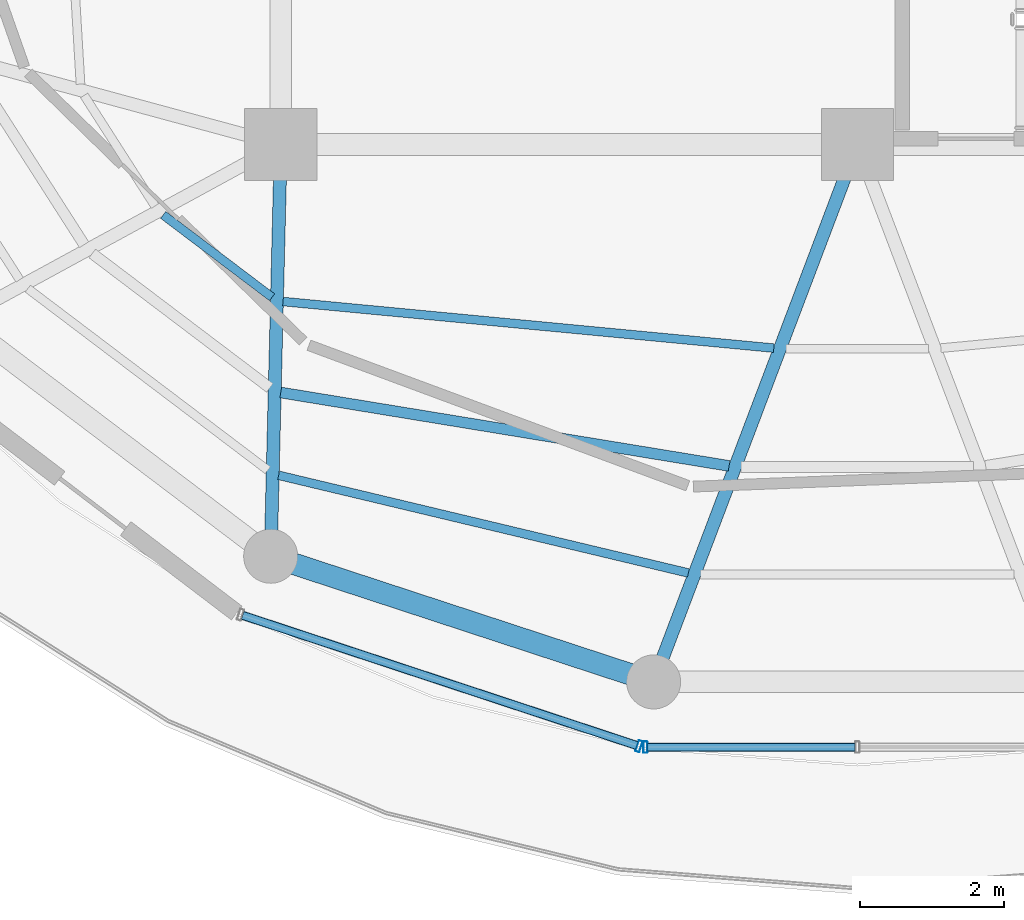
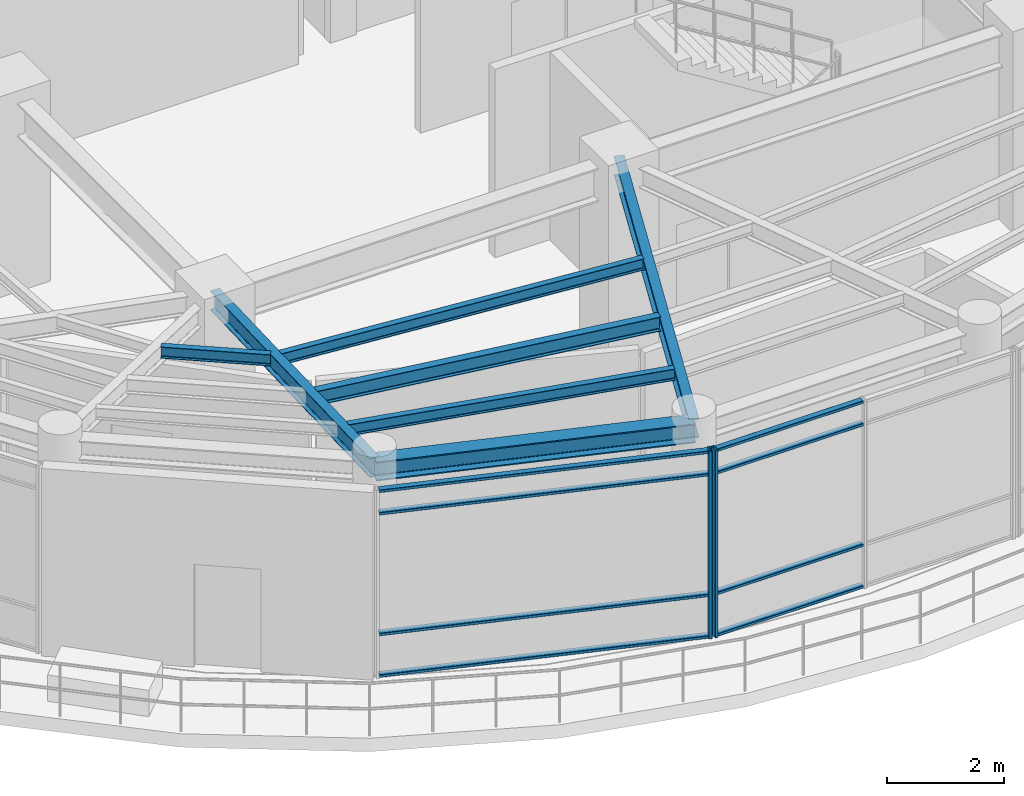
# One storey, part 3 of 20: 10 members, 7 beams, 2 elements without a shape of their own.
"""IFC4 building model written with IfcOpenShell, lengths in metres."""

from ifc_helpers import new_model, si_unit, direction, frame, origin, origin_2d, place, context, subcontext, project, spatial, hollow_rectangle, i_section, extrude, material, layer, layer_set, material_profile, profile_set, type_object, element, aggregate, save


model = new_model("IFC4")

# Units and contexts
model_context = context("Model", 3, precision=1e-05, world=origin(), true_north=direction((0.0, 1.0)))
body_context = subcontext(model_context, "Body", "Model", "MODEL_VIEW")
ifc_project = project(units=[si_unit("LENGTHUNIT", "METRE"), si_unit("AREAUNIT", "SQUARE_METRE"), si_unit("VOLUMEUNIT", "CUBIC_METRE"), si_unit("PLANEANGLEUNIT", "RADIAN"), si_unit("MASSUNIT", "GRAM", prefix="KILO")], contexts=[model_context])

# Site, building, storey
site_placement = place(None, origin())
site = spatial("IfcSite", under=ifc_project, at=site_placement, CompositionType="ELEMENT")
building_placement = place(site_placement, origin())
building = spatial("IfcBuilding", under=site, at=building_placement, Name="Kelanora Arch Commons", CompositionType="ELEMENT")
storey_placement = place(building_placement, frame((0.0, 0.0, 298.5)))
storey = spatial("IfcBuildingStorey", under=building, at=storey_placement, Name="L76", CompositionType="ELEMENT", Elevation=298.5)

# Beams
ifc_material_1 = material(Name="Steel S355", Category="steel")
ifc_material_profile_1 = material_profile(ifc_material_1, i_section(OverallWidth=0.14990234375, OverallDepth=0.300048828125, WebThickness=0.007080078125, FlangeThickness=0.0107421875, FilletRadius=0.014892578125, at=origin_2d()), Name="IPE300")
ifc_profile_set_1 = profile_set([ifc_material_profile_1], Name="Steel S355")
beam_type_1 = type_object("IfcBeamType", Name="BM-JST-01", PredefinedType="JOIST", material=ifc_profile_set_1)
beam_1_placement = place(storey_placement, frame((66.0, 47.558349609375, 3.7900390625), z_axis=(0.986849654094, -0.16164083709, 0.0), x_axis=(0.16164083709, 0.986849654094, 0.0)))
element("IfcBeam", 1, at=beam_1_placement, inside=storey, type_object=beam_type_1, Name="Secondary Chord Joist BJB-24 L76", PredefinedType="JOIST", context=body_context, shape_type="SweptSolid", body=[
    extrude(i_section(OverallWidth=0.14990234375, OverallDepth=0.300048828125, WebThickness=0.007080078125, FlangeThickness=0.0107421875, FilletRadius=0.014892578125, at=origin_2d()), origin(), (0.0, 0.0, 1.0), 6.302734375),
])
ifc_material_profile_2 = material_profile(ifc_material_1, i_section(OverallWidth=0.1201171875, OverallDepth=0.239990234375, WebThickness=0.006103515625, FlangeThickness=0.009765625, FilletRadius=0.014892578125, at=origin_2d()), Name="IPE240")
ifc_profile_set_2 = profile_set([ifc_material_profile_2], Name="Steel S355")
beam_type_2 = type_object("IfcBeamType", Name="BM-JST-02", PredefinedType="JOIST", material=ifc_profile_set_2)
beam_2_placement = place(storey_placement, frame((64.36865234375, 50.02294921875, 3.820068359375), z_axis=(0.797424826317, -0.603418301324, 0.0), x_axis=(0.603418301324, 0.797424826317, 0.0)))
element("IfcBeam", 2, at=beam_2_placement, inside=storey, type_object=beam_type_2, Name="Secondary Chord Joist BJA-22 L76", PredefinedType="JOIST", context=body_context, shape_type="SweptSolid", body=[
    extrude(i_section(OverallWidth=0.1201171875, OverallDepth=0.239990234375, WebThickness=0.006103515625, FlangeThickness=0.009765625, FilletRadius=0.014892578125, at=origin_2d()), origin(), (0.0, 0.0, 1.0), 1.893798828125),
])
beam_3_placement = place(storey_placement, frame((66.031494140625, 48.82080078125, 3.820068359375), z_axis=(0.995523661296, -0.094512643594, 0.0), x_axis=(0.094512643594, 0.995523661296, 0.0)))
element("IfcBeam", 3, at=beam_3_placement, inside=storey, type_object=beam_type_2, Name="Secondary Chord Joist BJA-24 L76", PredefinedType="JOIST", context=body_context, shape_type="SweptSolid", body=[
    extrude(i_section(OverallWidth=0.1201171875, OverallDepth=0.239990234375, WebThickness=0.006103515625, FlangeThickness=0.009765625, FilletRadius=0.014892578125, at=origin_2d()), origin(), (0.0, 0.0, 1.0), 6.840087890625),
])
beam_4_placement = place(storey_placement, frame((65.970703125, 46.40966796875, 3.820068359375), z_axis=(0.972733556605, -0.231925479098, 0.0), x_axis=(0.231925479098, 0.972733556605, 0.0)))
element("IfcBeam", 4, at=beam_4_placement, inside=storey, type_object=beam_type_2, Name="Secondary Chord Joist BJC-24 L76", PredefinedType="JOIST", context=body_context, shape_type="SweptSolid", body=[
    extrude(i_section(OverallWidth=0.1201171875, OverallDepth=0.239990234375, WebThickness=0.006103515625, FlangeThickness=0.009765625, FilletRadius=0.014892578125, at=origin_2d()), origin(), (0.0, 0.0, 1.0), 5.844482421875),
])
ifc_material_profile_3 = material_profile(ifc_material_1, i_section(OverallWidth=0.179931640625, OverallDepth=0.39990234375, WebThickness=0.008544921875, FlangeThickness=0.013427734375, FilletRadius=0.02099609375, at=origin_2d()), Name="IPE400")
ifc_profile_set_3 = profile_set([ifc_material_profile_3], Name="Steel S355")
beam_type_3 = type_object("IfcBeamType", Name="BM-RAD-Z5", PredefinedType="BEAM", material=ifc_profile_set_3)
beam_5_placement = place(storey_placement, frame((66.0, 51.0, 3.739990234375), z_axis=(-0.0244777504, -0.99970037498, 0.0), x_axis=(0.99970037498, -0.0244777504, 0.0)))
element("IfcBeam", 5, at=beam_5_placement, inside=storey, type_object=beam_type_3, Name="Radial Floor Girder BR-24 L76", PredefinedType="BEAM", context=body_context, shape_type="SweptSolid", body=[
    extrude(i_section(OverallWidth=0.179931640625, OverallDepth=0.39990234375, WebThickness=0.008544921875, FlangeThickness=0.013427734375, FilletRadius=0.02099609375, at=origin_2d()), origin(), (0.0, 0.0, 1.0), 5.715087890625),
])
beam_6_placement = place(storey_placement, frame((74.0, 51.0, 3.739990234375), z_axis=(-0.354476114465, -0.93506506954, 0.0), x_axis=(0.93506506954, -0.354476114465, 0.0)))
element("IfcBeam", 6, at=beam_6_placement, inside=storey, type_object=beam_type_3, Name="Radial Floor Girder BR-26 L76", PredefinedType="BEAM", context=body_context, shape_type="SweptSolid", body=[
    extrude(i_section(OverallWidth=0.179931640625, OverallDepth=0.39990234375, WebThickness=0.008544921875, FlangeThickness=0.013427734375, FilletRadius=0.02099609375, at=origin_2d()), origin(), (0.0, 0.0, 1.0), 7.974853515625),
])
ifc_material_profile_4 = material_profile(ifc_material_1, i_section(OverallWidth=0.300048828125, OverallDepth=0.39990234375, WebThickness=0.013427734375, FlangeThickness=0.02392578125, FilletRadius=0.027099609375, at=origin_2d()), Name="HEB400")
ifc_profile_set_4 = profile_set([ifc_material_profile_4], Name="Steel S355")
beam_type_4 = type_object("IfcBeamType", Name="BM-SPN-Z4", PredefinedType="SPANDREL", material=ifc_profile_set_4)
beam_7_placement = place(storey_placement, frame((65.860107421875, 45.28662109375, 3.739990234375), z_axis=(0.950140083071, -0.311823383572, 0.0), x_axis=(0.311823383572, 0.950140083071, 0.0)))
element("IfcBeam", 7, at=beam_7_placement, inside=storey, type_object=beam_type_4, Name="Perimeter Spandrel Beam BS-24 L76", PredefinedType="SPANDREL", context=body_context, shape_type="SweptSolid", body=[
    extrude(i_section(OverallWidth=0.300048828125, OverallDepth=0.39990234375, WebThickness=0.013427734375, FlangeThickness=0.02392578125, FilletRadius=0.027099609375, at=origin_2d()), origin(), (0.0, 0.0, 1.0), 5.591796875),
])

# Curtain wall, member
ifc_material_2 = material(Name="Terracotta ceramic-fritted low-E glass and aluminium", Category="masonry")
ifc_layer = layer(ifc_material_2, 0.14990234375)
ifc_layer_set = layer_set([ifc_layer], Name="Terracotta ceramic-fritted low-E glass and aluminium")
curtain_wall_type = type_object("IfcCurtainWallType", Name="CW-SYS-06", PredefinedType="NOTDEFINED", material=ifc_layer_set)
curtain_wall_1_placement = place(storey_placement, origin())
curtain_wall_1 = element("IfcCurtainWall", 8, at=curtain_wall_1_placement, inside=storey, type_object=curtain_wall_type, Name="Unitised Curtain Wall L76-B12", PredefinedType="NOTDEFINED")
ifc_material_3 = material(Name="Powder-coated aluminium terracotta", Category="masonry")
ifc_material_profile_5 = material_profile(ifc_material_3, hollow_rectangle(XDim=0.159912109375, YDim=0.06005859375, WallThickness=0.0048828125, InnerFilletRadius=0.0048828125, OuterFilletRadius=0.010009765625, at=origin_2d()), Name="CWM160x60")
ifc_profile_set_5 = profile_set([ifc_material_profile_5], Name="Powder-coated aluminium terracotta")
member_type_1 = type_object("IfcMemberType", Name="CWM-STD", PredefinedType="MULLION", material=ifc_profile_set_5)
member_1_placement = place(storey_placement, frame((70.970703125, 42.651123046875, 0.0), z_axis=(0.0, 0.0, 1.0), x_axis=(0.313466845323, 0.949599145368, 0.0)))
member_1 = element("IfcMember", 9, at=member_1_placement, type_object=member_type_1, Name="CW-06 mullion 2", PredefinedType="MULLION", context=body_context, shape_type="SweptSolid", body=[
    extrude(hollow_rectangle(XDim=0.159912109375, YDim=0.06005859375, WallThickness=0.0048828125, InnerFilletRadius=0.0048828125, OuterFilletRadius=0.010009765625, at=origin_2d()), origin(), (0.0, 0.0, 1.0), 3.925048828125),
])

curtain_wall_2_placement = place(storey_placement, origin())
curtain_wall_2 = element("IfcCurtainWall", 10, at=curtain_wall_2_placement, inside=storey, type_object=curtain_wall_type, Name="Unitised Curtain Wall L76-B13", PredefinedType="NOTDEFINED")
member_2_placement = place(storey_placement, frame((71.058349609375, 42.636962890625, 0.0), z_axis=(0.0, 0.0, 1.0), x_axis=(0.0, 1.0, 0.0)))
member_2 = element("IfcMember", 11, at=member_2_placement, type_object=member_type_1, Name="CW-06 mullion 1", PredefinedType="MULLION", context=body_context, shape_type="SweptSolid", body=[
    extrude(hollow_rectangle(XDim=0.159912109375, YDim=0.06005859375, WallThickness=0.0048828125, InnerFilletRadius=0.0048828125, OuterFilletRadius=0.010009765625, at=origin_2d()), origin(), (0.0, 0.0, 1.0), 3.925048828125),
])

# Member
ifc_material_profile_6 = material_profile(ifc_material_3, hollow_rectangle(XDim=0.1201171875, YDim=0.06005859375, WallThickness=0.0048828125, InnerFilletRadius=0.0048828125, OuterFilletRadius=0.010009765625, at=origin_2d()), Name="CWT120x60")
ifc_profile_set_6 = profile_set([ifc_material_profile_6], Name="Powder-coated aluminium terracotta")
member_type_2 = type_object("IfcMemberType", Name="CWT-STD", PredefinedType="USERDEFINED", material=ifc_profile_set_6)
member_3_placement = place(storey_placement, frame((65.47119140625, 44.466552734375, 0.030029296875), z_axis=(0.949590431956, -0.31349324002, 0.0), x_axis=(0.31349324002, 0.949590431956, 0.0)))
member_3 = element("IfcMember", 12, at=member_3_placement, type_object=member_type_2, Name="CW-06 transom 1.1", ObjectType="TRANSOM", PredefinedType="USERDEFINED", context=body_context, shape_type="SweptSolid", body=[
    extrude(hollow_rectangle(XDim=0.1201171875, YDim=0.06005859375, WallThickness=0.0048828125, InnerFilletRadius=0.0048828125, OuterFilletRadius=0.010009765625, at=origin_2d()), origin(), (0.0, 0.0, 1.0), 5.761474609375),
])

member_4_placement = place(storey_placement, frame((65.47119140625, 44.466552734375, 0.89990234375), z_axis=(0.949590431956, -0.31349324002, 0.0), x_axis=(0.31349324002, 0.949590431956, 0.0)))
member_4 = element("IfcMember", 13, at=member_4_placement, type_object=member_type_2, Name="CW-06 transom 1.2", ObjectType="TRANSOM", PredefinedType="USERDEFINED", context=body_context, shape_type="SweptSolid", body=[
    extrude(hollow_rectangle(XDim=0.1201171875, YDim=0.06005859375, WallThickness=0.0048828125, InnerFilletRadius=0.0048828125, OuterFilletRadius=0.010009765625, at=origin_2d()), origin(), (0.0, 0.0, 1.0), 5.761474609375),
])

member_5_placement = place(storey_placement, frame((65.47119140625, 44.466552734375, 3.425048828125), z_axis=(0.949590431956, -0.31349324002, 0.0), x_axis=(0.31349324002, 0.949590431956, 0.0)))
member_5 = element("IfcMember", 14, at=member_5_placement, type_object=member_type_2, Name="CW-06 transom 1.3", ObjectType="TRANSOM", PredefinedType="USERDEFINED", context=body_context, shape_type="SweptSolid", body=[
    extrude(hollow_rectangle(XDim=0.1201171875, YDim=0.06005859375, WallThickness=0.0048828125, InnerFilletRadius=0.0048828125, OuterFilletRadius=0.010009765625, at=origin_2d()), origin(), (0.0, 0.0, 1.0), 5.761474609375),
])

member_6_placement = place(storey_placement, frame((65.47119140625, 44.466552734375, 3.89501953125), z_axis=(0.949590431956, -0.31349324002, 0.0), x_axis=(0.31349324002, 0.949590431956, 0.0)))
member_6 = element("IfcMember", 15, at=member_6_placement, type_object=member_type_2, Name="CW-06 transom 1.4", ObjectType="TRANSOM", PredefinedType="USERDEFINED", context=body_context, shape_type="SweptSolid", body=[
    extrude(hollow_rectangle(XDim=0.1201171875, YDim=0.06005859375, WallThickness=0.0048828125, InnerFilletRadius=0.0048828125, OuterFilletRadius=0.010009765625, at=origin_2d()), origin(), (0.0, 0.0, 1.0), 5.761474609375),
])

aggregate(curtain_wall_1, [member_1, member_3, member_4, member_5, member_6])

member_7_placement = place(storey_placement, frame((71.08837890625, 42.636962890625, 0.030029296875), z_axis=(1.0, 0.0, 0.0), x_axis=(0.0, 1.0, 0.0)))
member_7 = element("IfcMember", 16, at=member_7_placement, type_object=member_type_2, Name="CW-06 transom 1.1", ObjectType="TRANSOM", PredefinedType="USERDEFINED", context=body_context, shape_type="SweptSolid", body=[
    extrude(hollow_rectangle(XDim=0.1201171875, YDim=0.06005859375, WallThickness=0.0048828125, InnerFilletRadius=0.0048828125, OuterFilletRadius=0.010009765625, at=origin_2d()), origin(), (0.0, 0.0, 1.0), 2.881591796875),
])

member_8_placement = place(storey_placement, frame((71.08837890625, 42.636962890625, 0.89990234375), z_axis=(1.0, 0.0, 0.0), x_axis=(0.0, 1.0, 0.0)))
member_8 = element("IfcMember", 17, at=member_8_placement, type_object=member_type_2, Name="CW-06 transom 1.2", ObjectType="TRANSOM", PredefinedType="USERDEFINED", context=body_context, shape_type="SweptSolid", body=[
    extrude(hollow_rectangle(XDim=0.1201171875, YDim=0.06005859375, WallThickness=0.0048828125, InnerFilletRadius=0.0048828125, OuterFilletRadius=0.010009765625, at=origin_2d()), origin(), (0.0, 0.0, 1.0), 2.881591796875),
])

member_9_placement = place(storey_placement, frame((71.08837890625, 42.636962890625, 3.425048828125), z_axis=(1.0, 0.0, 0.0), x_axis=(0.0, 1.0, 0.0)))
member_9 = element("IfcMember", 18, at=member_9_placement, type_object=member_type_2, Name="CW-06 transom 1.3", ObjectType="TRANSOM", PredefinedType="USERDEFINED", context=body_context, shape_type="SweptSolid", body=[
    extrude(hollow_rectangle(XDim=0.1201171875, YDim=0.06005859375, WallThickness=0.0048828125, InnerFilletRadius=0.0048828125, OuterFilletRadius=0.010009765625, at=origin_2d()), origin(), (0.0, 0.0, 1.0), 2.881591796875),
])

member_10_placement = place(storey_placement, frame((71.08837890625, 42.636962890625, 3.89501953125), z_axis=(1.0, 0.0, 0.0), x_axis=(0.0, 1.0, 0.0)))
member_10 = element("IfcMember", 19, at=member_10_placement, type_object=member_type_2, Name="CW-06 transom 1.4", ObjectType="TRANSOM", PredefinedType="USERDEFINED", context=body_context, shape_type="SweptSolid", body=[
    extrude(hollow_rectangle(XDim=0.1201171875, YDim=0.06005859375, WallThickness=0.0048828125, InnerFilletRadius=0.0048828125, OuterFilletRadius=0.010009765625, at=origin_2d()), origin(), (0.0, 0.0, 1.0), 2.881591796875),
])

aggregate(curtain_wall_2, [member_2, member_7, member_8, member_9, member_10])

save(model, "model.ifc")
